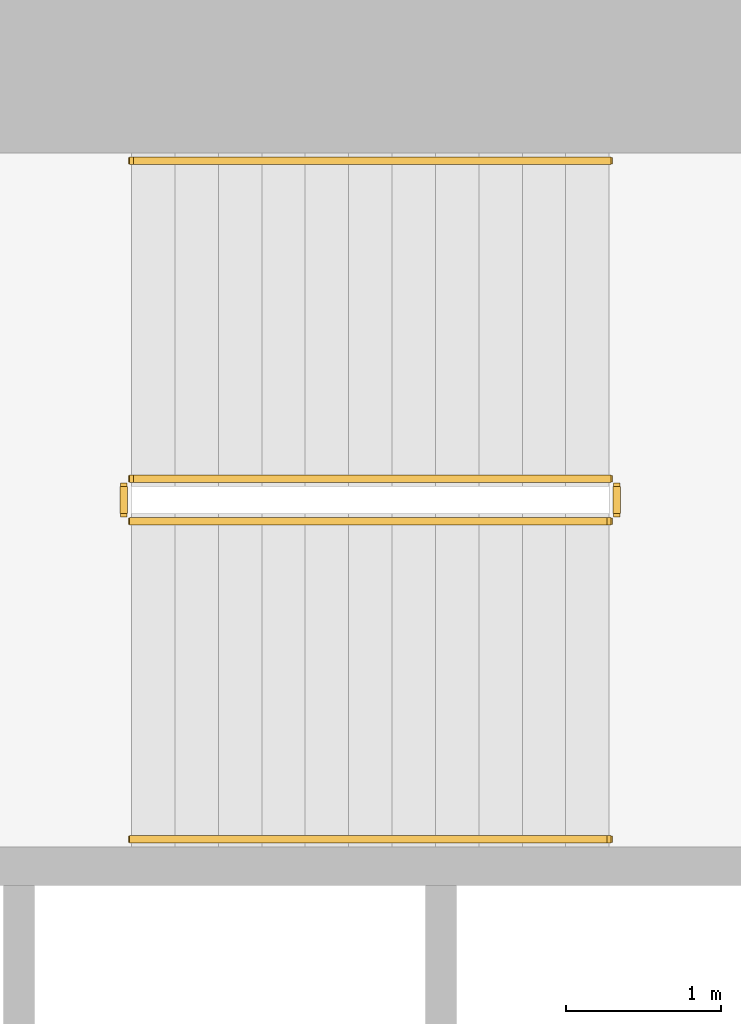
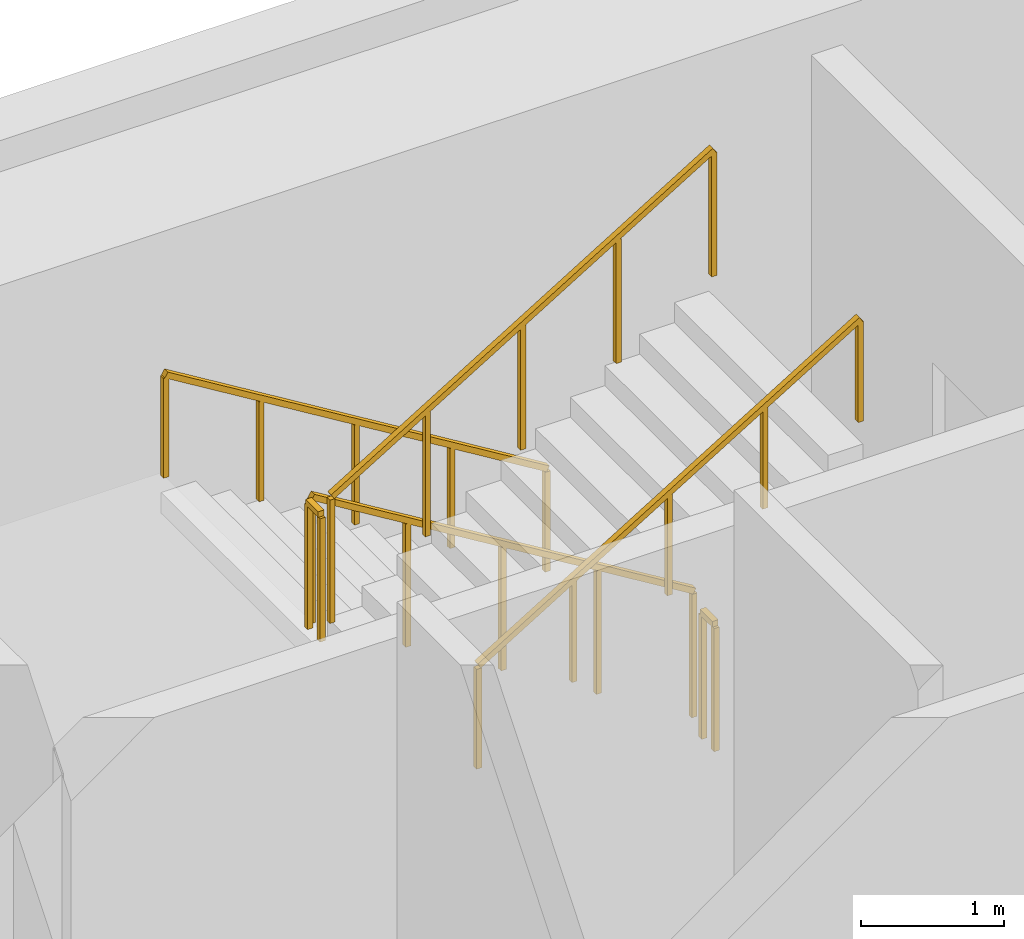
# One storey, part 14 of 16: 6 railings.
"""IFC4 building model written with IfcOpenShell, lengths in metres."""

from ifc_helpers import new_model, si_unit, direction, frame, origin, origin_2d, place, context, subcontext, project, spatial, rectangle, extrude, material, type_object, element, save


model = new_model("IFC4")

# Units and contexts
model_context = context("Model", 3, precision=1e-05, world=origin(), true_north=direction((0.0, 1.0)))
body_context = subcontext(model_context, "Body", "Model", "MODEL_VIEW")
ifc_project = project(units=[si_unit("LENGTHUNIT", "METRE"), si_unit("AREAUNIT", "SQUARE_METRE"), si_unit("VOLUMEUNIT", "CUBIC_METRE"), si_unit("PLANEANGLEUNIT", "RADIAN"), si_unit("MASSUNIT", "GRAM", prefix="KILO")], contexts=[model_context])

# Site, building, storey
site_placement = place(None, origin())
site = spatial("IfcSite", under=ifc_project, at=site_placement, CompositionType="ELEMENT")
building_placement = place(site_placement, origin())
building = spatial("IfcBuilding", under=site, at=building_placement, Name="Cypress Arch Tower", CompositionType="ELEMENT")
storey_placement = place(building_placement, frame((0.0, 0.0, 181.0)))
storey = spatial("IfcBuildingStorey", under=building, at=storey_placement, Name="L39", CompositionType="ELEMENT", Elevation=181.0)

# Railings
ifc_material_1 = material(Name="Black powder-coated steel square bar 48 mm", Category="steel")
railing_type_1 = type_object("IfcRailingType", Name="Stair handrail HR1", PredefinedType="HANDRAIL", material=ifc_material_1)
railing_1_placement = place(storey_placement, frame((-22.27490234375, 14.75, 0.1708984375)))
element("IfcRailing", 1, at=railing_1_placement, inside=storey, type_object=railing_type_1, Name="L39 B stair handrail 1", PredefinedType="HANDRAIL", context=body_context, shape_type="SweptSolid", body=[
    extrude(rectangle(XDim=0.048095703125, YDim=0.048095703125, at=origin_2d()), frame((0.0, 0.0, 0.8759765625), z_axis=(-0.853666305674, 0.0, 0.52082035152), x_axis=(0.0, -1.0, 0.0)), (0.0, 0.0, 1.0), 3.608154296875),
    extrude(rectangle(XDim=0.0419921875, YDim=0.0419921875, at=origin_2d()), origin(), (0.0, 0.0, 1.0), 0.851806640625),
    extrude(rectangle(XDim=0.0419921875, YDim=0.0419921875, at=origin_2d()), frame((-0.77001953125, 0.0, 0.4697265625)), (0.0, 0.0, 1.0), 0.851806640625),
    extrude(rectangle(XDim=0.0419921875, YDim=0.0419921875, at=origin_2d()), frame((-1.5400390625, 0.0, 0.939453125)), (0.0, 0.0, 1.0), 0.851806640625),
    extrude(rectangle(XDim=0.0419921875, YDim=0.0419921875, at=origin_2d()), frame((-2.31005859375, 0.0, 1.409423828125)), (0.0, 0.0, 1.0), 0.851806640625),
    extrude(rectangle(XDim=0.0419921875, YDim=0.0419921875, at=origin_2d()), frame((-3.080078125, 0.0, 1.879150390625)), (0.0, 0.0, 1.0), 0.851806640625),
])
railing_2_placement = place(storey_placement, frame((-25.35498046875, 10.375, 2.220947265625)))
element("IfcRailing", 2, at=railing_2_placement, inside=storey, type_object=railing_type_1, Name="L39 B stair handrail 2", PredefinedType="HANDRAIL", context=body_context, shape_type="SweptSolid", body=[
    extrude(rectangle(XDim=0.048095703125, YDim=0.048095703125, at=origin_2d()), frame((0.0, 0.0, 0.8759765625), z_axis=(0.853666305674, 0.0, 0.52082035152), x_axis=(0.0, 1.0, 0.0)), (0.0, 0.0, 1.0), 3.608154296875),
    extrude(rectangle(XDim=0.0419921875, YDim=0.0419921875, at=origin_2d()), origin(), (0.0, 0.0, 1.0), 0.851806640625),
    extrude(rectangle(XDim=0.0419921875, YDim=0.0419921875, at=origin_2d()), frame((0.77001953125, 0.0, 0.4697265625)), (0.0, 0.0, 1.0), 0.851806640625),
    extrude(rectangle(XDim=0.0419921875, YDim=0.0419921875, at=origin_2d()), frame((1.5400390625, 0.0, 0.939453125)), (0.0, 0.0, 1.0), 0.851806640625),
    extrude(rectangle(XDim=0.0419921875, YDim=0.0419921875, at=origin_2d()), frame((2.31005859375, 0.0, 1.409423828125)), (0.0, 0.0, 1.0), 0.851806640625),
    extrude(rectangle(XDim=0.0419921875, YDim=0.0419921875, at=origin_2d()), frame((3.080078125, 0.0, 1.879150390625)), (0.0, 0.0, 1.0), 0.851806640625),
])
ifc_material_2 = material(Name="Black powder-coated steel balusters", Category="steel")
railing_type_2 = type_object("IfcRailingType", Name="Stair well guard G1", PredefinedType="GUARDRAIL", material=ifc_material_2)
railing_3_placement = place(storey_placement, frame((-22.27490234375, 12.699951171875, 0.1708984375)))
element("IfcRailing", 3, at=railing_3_placement, inside=storey, type_object=railing_type_2, Name="L39 B stair guard 1", PredefinedType="GUARDRAIL", context=body_context, shape_type="SweptSolid", body=[
    extrude(rectangle(XDim=0.048095703125, YDim=0.048095703125, at=origin_2d()), frame((0.0, 0.0, 1.076171875), z_axis=(-0.853666305674, 0.0, 0.52082035152), x_axis=(0.0, -1.0, 0.0)), (0.0, 0.0, 1.0), 3.608154296875),
    extrude(rectangle(XDim=0.0419921875, YDim=0.0419921875, at=origin_2d()), origin(), (0.0, 0.0, 1.0), 1.052001953125),
    extrude(rectangle(XDim=0.0419921875, YDim=0.0419921875, at=origin_2d()), frame((-0.77001953125, 0.0, 0.4697265625)), (0.0, 0.0, 1.0), 1.052001953125),
    extrude(rectangle(XDim=0.0419921875, YDim=0.0419921875, at=origin_2d()), frame((-1.5400390625, 0.0, 0.939453125)), (0.0, 0.0, 1.0), 1.052001953125),
    extrude(rectangle(XDim=0.0419921875, YDim=0.0419921875, at=origin_2d()), frame((-2.31005859375, 0.0, 1.409423828125)), (0.0, 0.0, 1.0), 1.052001953125),
    extrude(rectangle(XDim=0.0419921875, YDim=0.0419921875, at=origin_2d()), frame((-3.080078125, 0.0, 1.879150390625)), (0.0, 0.0, 1.0), 1.052001953125),
])
railing_4_placement = place(storey_placement, frame((-25.405029296875, 12.64990234375, 2.050048828125)))
element("IfcRailing", 4, at=railing_4_placement, inside=storey, type_object=railing_type_2, Name="L39 B stair guard 2", PredefinedType="GUARDRAIL", context=body_context, shape_type="SweptSolid", body=[
    extrude(rectangle(XDim=0.048095703125, YDim=0.048095703125, at=origin_2d()), frame((0.0, 0.0, 1.076171875), z_axis=(0.0, -1.0, 0.0), x_axis=(1.0, 0.0, 0.0)), (0.0, 0.0, 1.0), 0.1748046875),
    extrude(rectangle(XDim=0.0419921875, YDim=0.0419921875, at=origin_2d()), origin(), (0.0, 0.0, 1.0), 1.052001953125),
    extrude(rectangle(XDim=0.0419921875, YDim=0.0419921875, at=origin_2d()), frame((0.0, -0.1748046875, 0.0)), (0.0, 0.0, 1.0), 1.052001953125),
])
railing_5_placement = place(storey_placement, frame((-25.35498046875, 12.425048828125, 2.220947265625)))
element("IfcRailing", 5, at=railing_5_placement, inside=storey, type_object=railing_type_2, Name="L39 B stair guard 3", PredefinedType="GUARDRAIL", context=body_context, shape_type="SweptSolid", body=[
    extrude(rectangle(XDim=0.048095703125, YDim=0.048095703125, at=origin_2d()), frame((0.0, 0.0, 1.076171875), z_axis=(0.853666305674, 0.0, 0.52082035152), x_axis=(0.0, 1.0, 0.0)), (0.0, 0.0, 1.0), 3.608154296875),
    extrude(rectangle(XDim=0.0419921875, YDim=0.0419921875, at=origin_2d()), origin(), (0.0, 0.0, 1.0), 1.052001953125),
    extrude(rectangle(XDim=0.0419921875, YDim=0.0419921875, at=origin_2d()), frame((0.77001953125, 0.0, 0.4697265625)), (0.0, 0.0, 1.0), 1.052001953125),
    extrude(rectangle(XDim=0.0419921875, YDim=0.0419921875, at=origin_2d()), frame((1.5400390625, 0.0, 0.939453125)), (0.0, 0.0, 1.0), 1.052001953125),
    extrude(rectangle(XDim=0.0419921875, YDim=0.0419921875, at=origin_2d()), frame((2.31005859375, 0.0, 1.409423828125)), (0.0, 0.0, 1.0), 1.052001953125),
    extrude(rectangle(XDim=0.0419921875, YDim=0.0419921875, at=origin_2d()), frame((3.080078125, 0.0, 1.879150390625)), (0.0, 0.0, 1.0), 1.052001953125),
])
railing_6_placement = place(storey_placement, frame((-22.22509765625, 12.64990234375, 0.0)))
element("IfcRailing", 6, at=railing_6_placement, inside=storey, type_object=railing_type_2, Name="L39 B stair guard 4", PredefinedType="GUARDRAIL", context=body_context, shape_type="SweptSolid", body=[
    extrude(rectangle(XDim=0.048095703125, YDim=0.048095703125, at=origin_2d()), frame((0.0, 0.0, 1.076171875), z_axis=(0.0, -1.0, 0.0), x_axis=(1.0, 0.0, 0.0)), (0.0, 0.0, 1.0), 0.1748046875),
    extrude(rectangle(XDim=0.0419921875, YDim=0.0419921875, at=origin_2d()), origin(), (0.0, 0.0, 1.0), 1.052001953125),
    extrude(rectangle(XDim=0.0419921875, YDim=0.0419921875, at=origin_2d()), frame((0.0, -0.1748046875, 0.0)), (0.0, 0.0, 1.0), 1.052001953125),
])

save(model, "model.ifc")
